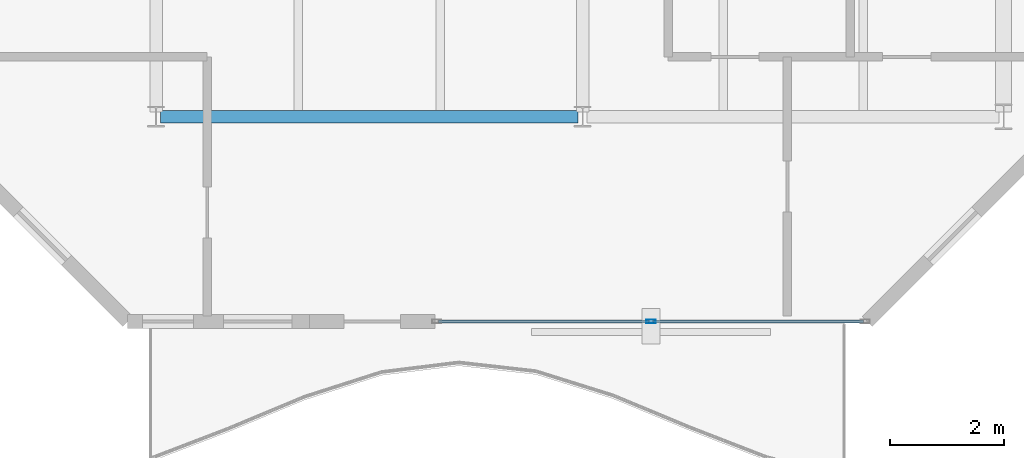
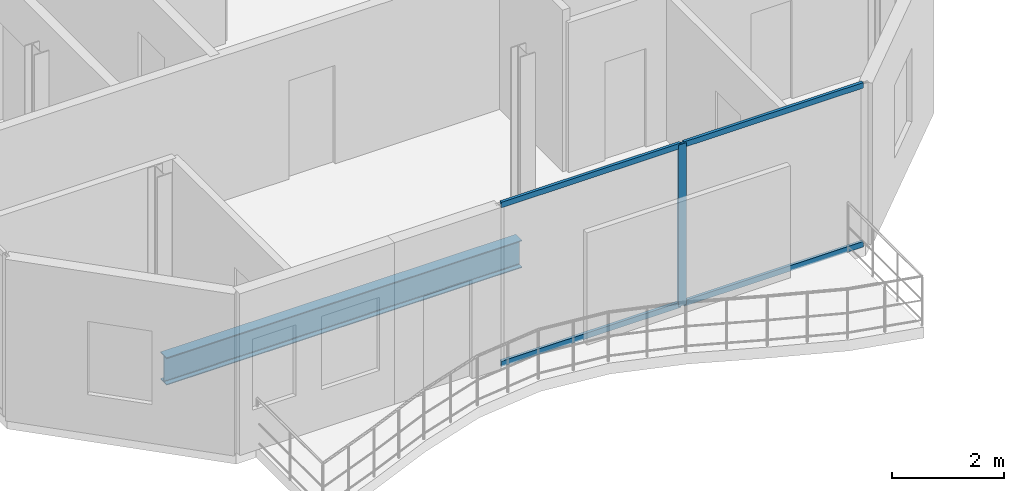
# One storey, part 4 of 23: 5 members, 1 beam, 1 element without a shape of its own.
"""IFC4 building model written with IfcOpenShell, lengths in metres."""

from ifc_helpers import new_model, si_unit, direction, frame, origin, origin_2d, place, context, subcontext, project, spatial, hollow_rectangle, i_section, extrude, material, layer, layer_set, material_profile, profile_set, type_object, element, aggregate, save


model = new_model("IFC4")

# Units and contexts
model_context = context("Model", 3, precision=1e-05, world=origin(), true_north=direction((0.0, 1.0)))
body_context = subcontext(model_context, "Body", "Model", "MODEL_VIEW")
ifc_project = project(units=[si_unit("LENGTHUNIT", "METRE"), si_unit("AREAUNIT", "SQUARE_METRE"), si_unit("VOLUMEUNIT", "CUBIC_METRE"), si_unit("PLANEANGLEUNIT", "RADIAN"), si_unit("MASSUNIT", "GRAM", prefix="KILO")], contexts=[model_context])

# Site, building, storey
site_placement = place(None, origin())
site = spatial("IfcSite", under=ifc_project, at=site_placement, CompositionType="ELEMENT")
building_placement = place(site_placement, origin())
building = spatial("IfcBuilding", under=site, at=building_placement, Name="Catumbela Crestline Tower", CompositionType="ELEMENT")
storey_placement = place(building_placement, frame((0.0, 0.0, 241.2)))
storey = spatial("IfcBuildingStorey", under=building, at=storey_placement, Name="L62", CompositionType="ELEMENT", Elevation=241.2)

# Beam
ifc_material_1 = material(Name="Structural steel S355J2", Category="steel")
ifc_material_profile_1 = material_profile(ifc_material_1, i_section(OverallWidth=0.22, OverallDepth=0.6, WebThickness=0.012, FlangeThickness=0.019, FilletRadius=0.024, at=origin_2d()), Name="IPE 600")
ifc_profile_set_1 = profile_set([ifc_material_profile_1], Name="Structural steel S355J2")
beam_type = type_object("IfcBeamType", Name="BG-IPE600", PredefinedType="BEAM", material=ifc_profile_set_1)
beam_placement = place(storey_placement, frame((8.58, 13.6, -0.56), z_axis=(1.0, 0.0, 0.0), x_axis=(0.0, 1.0, 0.0)))
element("IfcBeam", 1, at=beam_placement, inside=storey, type_object=beam_type, Name="L62 Beam BM-L62-WEW27", PredefinedType="BEAM", context=body_context, shape_type="SweptSolid", body=[
    extrude(i_section(OverallWidth=0.22, OverallDepth=0.6, WebThickness=0.012, FlangeThickness=0.019, FilletRadius=0.024, at=origin_2d()), origin(), (0.0, 0.0, 1.0), 7.34),
])

# Curtain wall, members
ifc_material_2 = material(Name="Aluminium alloy AW-6060-T66", Category="aluminium")
ifc_layer = layer(ifc_material_2, 0.18, Name="Aluminium alloy AW-6060-T66")
ifc_layer_set = layer_set([ifc_layer], Name="Aluminium alloy AW-6060-T66")
curtain_wall_type = type_object("IfcCurtainWallType", Name="CWU-Z4", PredefinedType="USERDEFINED", material=ifc_layer_set)
curtain_wall_placement = place(storey_placement, origin())
curtain_wall = element("IfcCurtainWall", 2, at=curtain_wall_placement, inside=storey, type_object=curtain_wall_type, Name="L62 Unitised Curtain Wall CW-L62-E0S2", ObjectType="UNITISED", PredefinedType="USERDEFINED")
ifc_material_profile_2 = material_profile(ifc_material_2, hollow_rectangle(XDim=0.06, YDim=0.16, WallThickness=0.004, at=origin_2d()), Name="ALU 160x60x4")
ifc_profile_set_2 = profile_set([ifc_material_profile_2], Name="Aluminium alloy AW-6060-T66")
member_type_1 = type_object("IfcMemberType", Name="MUL-160X60", PredefinedType="MULLION", material=ifc_profile_set_2)
member_1_placement = place(storey_placement, frame((17.2, 10.0, 0.0), z_axis=(0.0, 0.0, 1.0), x_axis=(0.0, 1.0, 0.0)))
member_1 = element("IfcMember", 3, at=member_1_placement, type_object=member_type_1, Name="CWU-Z4 mullion 2", PredefinedType="MULLION", context=body_context, shape_type="SweptSolid", body=[
    extrude(hollow_rectangle(XDim=0.06, YDim=0.16, WallThickness=0.004, at=origin_2d()), origin(), (0.0, 0.0, 1.0), 3.53),
])
ifc_material_profile_3 = material_profile(ifc_material_2, hollow_rectangle(XDim=0.06, YDim=0.12, WallThickness=0.0035, at=origin_2d()), Name="ALU 120x60x3.5")
ifc_profile_set_3 = profile_set([ifc_material_profile_3], Name="Aluminium alloy AW-6060-T66")
member_type_2 = type_object("IfcMemberType", Name="TRN-120X60", PredefinedType="USERDEFINED", material=ifc_profile_set_3)
member_2_placement = place(storey_placement, frame((13.465, 10.0, 0.03), z_axis=(1.0, 0.0, 0.0), x_axis=(0.0, 1.0, 0.0)))
member_2 = element("IfcMember", 4, at=member_2_placement, type_object=member_type_2, Name="CWU-Z4 transom 1.1", ObjectType="TRANSOM", PredefinedType="USERDEFINED", context=body_context, shape_type="SweptSolid", body=[
    extrude(hollow_rectangle(XDim=0.06, YDim=0.12, WallThickness=0.0035, at=origin_2d()), origin(), (0.0, 0.0, 1.0), 3.7025),
])
member_3_placement = place(storey_placement, frame((13.465, 10.0, 3.5), z_axis=(1.0, 0.0, 0.0), x_axis=(0.0, 1.0, 0.0)))
member_3 = element("IfcMember", 5, at=member_3_placement, type_object=member_type_2, Name="CWU-Z4 transom 1.2", ObjectType="TRANSOM", PredefinedType="USERDEFINED", context=body_context, shape_type="SweptSolid", body=[
    extrude(hollow_rectangle(XDim=0.06, YDim=0.12, WallThickness=0.0035, at=origin_2d()), origin(), (0.0, 0.0, 1.0), 3.7025),
])
member_4_placement = place(storey_placement, frame((17.2325, 10.0, 0.03), z_axis=(1.0, 0.0, 0.0), x_axis=(0.0, 1.0, 0.0)))
member_4 = element("IfcMember", 6, at=member_4_placement, type_object=member_type_2, Name="CWU-Z4 transom 2.1", ObjectType="TRANSOM", PredefinedType="USERDEFINED", context=body_context, shape_type="SweptSolid", body=[
    extrude(hollow_rectangle(XDim=0.06, YDim=0.12, WallThickness=0.0035, at=origin_2d()), origin(), (0.0, 0.0, 1.0), 3.7025),
])
member_5_placement = place(storey_placement, frame((17.2325, 10.0, 3.5), z_axis=(1.0, 0.0, 0.0), x_axis=(0.0, 1.0, 0.0)))
member_5 = element("IfcMember", 7, at=member_5_placement, type_object=member_type_2, Name="CWU-Z4 transom 2.2", ObjectType="TRANSOM", PredefinedType="USERDEFINED", context=body_context, shape_type="SweptSolid", body=[
    extrude(hollow_rectangle(XDim=0.06, YDim=0.12, WallThickness=0.0035, at=origin_2d()), origin(), (0.0, 0.0, 1.0), 3.7025),
])
aggregate(curtain_wall, [member_1, member_2, member_3, member_4, member_5])

save(model, "model.ifc")
